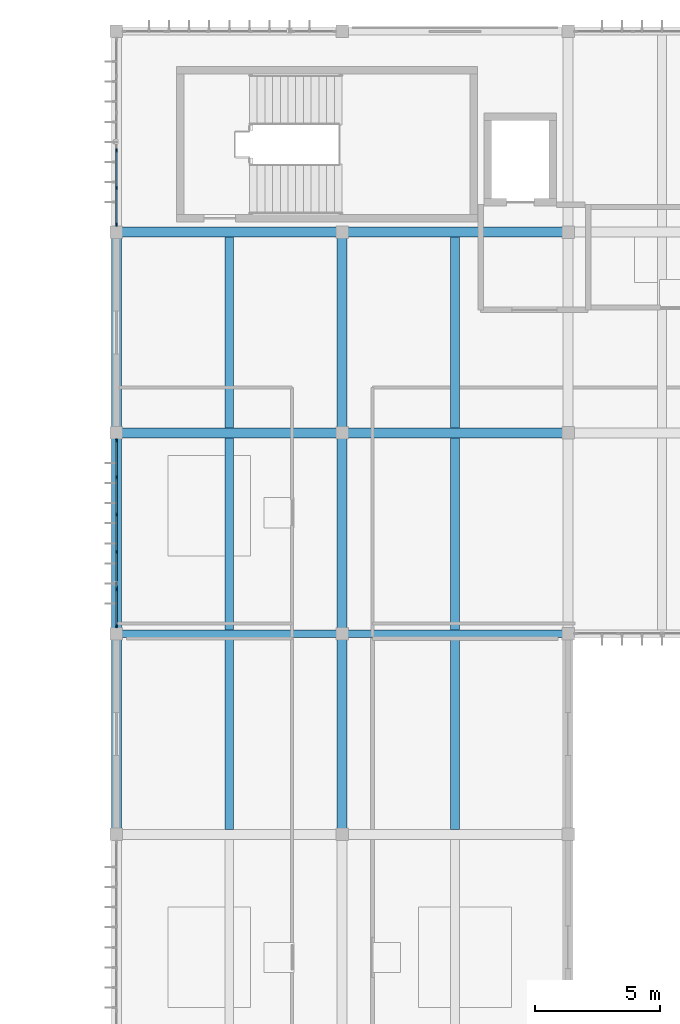
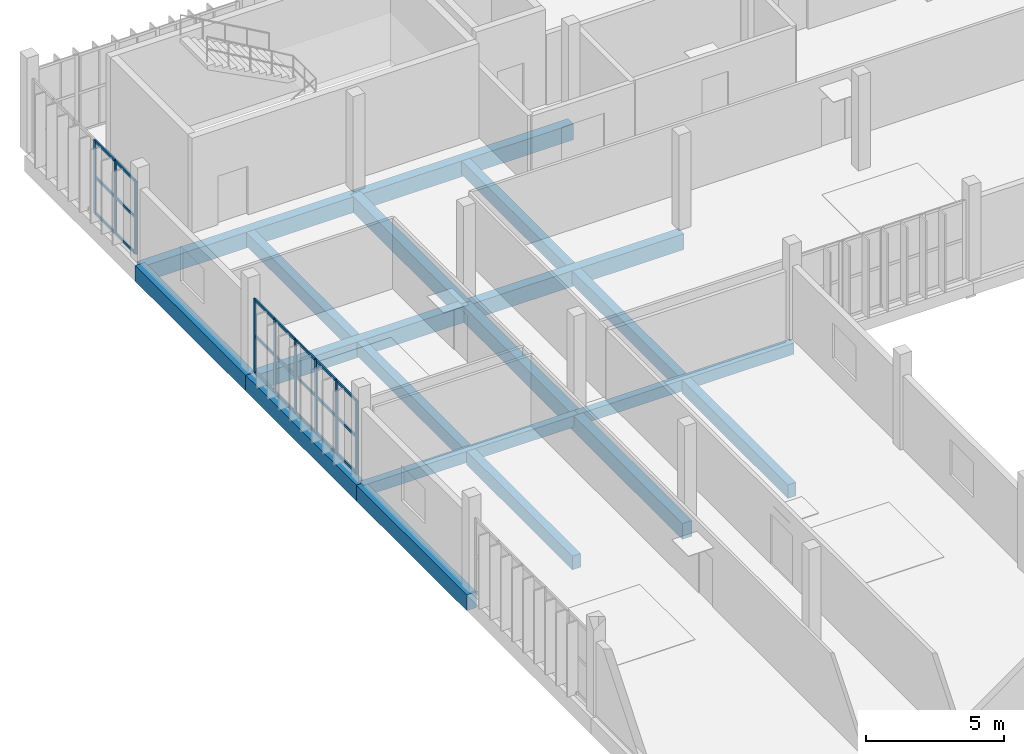
# One storey, part 3 of 27: 30 members, 18 beams, 2 elements without a shape of their own.
"""IFC4 building model written with IfcOpenShell, lengths in metres."""

from ifc_helpers import new_model, si_unit, direction, frame, origin, origin_2d, place, context, subcontext, project, spatial, rectangle, extrude, material, material_profile, profile_set, type_object, element, aggregate, save


model = new_model("IFC4")

# Units and contexts
model_context = context("Model", 3, precision=1e-05, world=origin(), true_north=direction((0.0, 1.0)))
body_context = subcontext(model_context, "Body", "Model", "MODEL_VIEW")
ifc_project = project(units=[si_unit("LENGTHUNIT", "METRE"), si_unit("AREAUNIT", "SQUARE_METRE"), si_unit("VOLUMEUNIT", "CUBIC_METRE"), si_unit("PLANEANGLEUNIT", "RADIAN"), si_unit("MASSUNIT", "GRAM", prefix="KILO")], contexts=[model_context])

# Site, building, storey
site_placement = place(None, origin())
site = spatial("IfcSite", under=ifc_project, at=site_placement, CompositionType="ELEMENT")
building_placement = place(site_placement, origin())
building = spatial("IfcBuilding", under=site, at=building_placement, Name="Vourika Railside Aquatics Centre", CompositionType="ELEMENT")
storey_placement = place(building_placement, frame((0.0, 0.0, 13.5)))
storey = spatial("IfcBuildingStorey", under=building, at=storey_placement, Name="L03", CompositionType="ELEMENT", Elevation=13.5)

# Beams
ifc_material_1 = material(Name="Concrete C35/45", Category="concrete")
ifc_material_profile_1 = material_profile(ifc_material_1, rectangle(XDim=0.39990234375, YDim=0.699951171875, at=origin_2d()), Name="RC 400x700")
ifc_profile_set_1 = profile_set([ifc_material_profile_1], Name="Concrete C35/45")
beam_type_1 = type_object("IfcBeamType", Name="BM-GIRD-400x700", PredefinedType="BEAM", material=ifc_profile_set_1)
for number, where, z_axis, x_axis, name in (
    (1, (18.0, 100.0, -0.610107421875), (1.0, 0.0, 0.0), (0.0, 1.0, 0.0), "Floor Beam GX-L03-055"),
    (2, (27.0, 100.0, -0.610107421875), (1.0, 0.0, 0.0), (0.0, 1.0, 0.0), "Floor Beam GX-L03-056"),
    (3, (18.0, 108.0, -0.610107421875), (1.0, 0.0, 0.0), (0.0, 1.0, 0.0), "Floor Beam GX-L03-070"),
    (4, (27.0, 108.0, -0.610107421875), (1.0, 0.0, 0.0), (0.0, 1.0, 0.0), "Floor Beam GX-L03-071"),
):
    element("IfcBeam", number, at=place(storey_placement, frame(where, z_axis=z_axis, x_axis=x_axis)), inside=storey, type_object=beam_type_1, Name=name, PredefinedType="BEAM", context=body_context, shape_type="SweptSolid", body=[
        extrude(rectangle(XDim=0.39990234375, YDim=0.699951171875, at=origin_2d()), origin(), (0.0, 0.0, 1.0), 9.0),
    ])
for number, where, z_axis, x_axis, name in (
    (5, (18.0, 84.0, -0.610107421875), (0.0, 1.0, 0.0), (-1.0, 0.0, 0.0), "Floor Girder GY-L03-108"),
    (6, (18.0, 92.0, -0.610107421875), (0.0, 1.0, 0.0), (-1.0, 0.0, 0.0), "Floor Girder GY-L03-109"),
    (7, (18.0, 100.0, -0.610107421875), (0.0, 1.0, 0.0), (-1.0, 0.0, 0.0), "Floor Girder GY-L03-110"),
    (8, (27.0, 84.0, -0.610107421875), (0.0, 1.0, 0.0), (-1.0, 0.0, 0.0), "Floor Girder GY-L03-116"),
    (9, (27.0, 92.0, -0.610107421875), (0.0, 1.0, 0.0), (-1.0, 0.0, 0.0), "Floor Girder GY-L03-117"),
    (10, (27.0, 100.0, -0.610107421875), (0.0, 1.0, 0.0), (-1.0, 0.0, 0.0), "Floor Girder GY-L03-118"),
):
    element("IfcBeam", number, at=place(storey_placement, frame(where, z_axis=z_axis, x_axis=x_axis)), inside=storey, type_object=beam_type_1, Name=name, PredefinedType="BEAM", context=body_context, shape_type="SweptSolid", body=[
        extrude(rectangle(XDim=0.39990234375, YDim=0.699951171875, at=origin_2d()), origin(), (0.0, 0.0, 1.0), 8.0),
    ])
ifc_material_profile_2 = material_profile(ifc_material_1, rectangle(XDim=0.35009765625, YDim=0.60009765625, at=origin_2d()), Name="RC 350x600")
ifc_profile_set_2 = profile_set([ifc_material_profile_2], Name="Concrete C35/45")
beam_type_2 = type_object("IfcBeamType", Name="BM-SEC-350x600", PredefinedType="JOIST", material=ifc_profile_set_2)
for number, where, z_axis, x_axis, name in (
    (11, (22.5, 84.199951171875, -0.56005859375), (0.0, 1.0, 0.0), (-1.0, 0.0, 0.0), "Secondary Joist JY-L03-209"),
    (12, (31.5, 84.199951171875, -0.56005859375), (0.0, 1.0, 0.0), (-1.0, 0.0, 0.0), "Secondary Joist JY-L03-210"),
    (13, (22.5, 92.14990234375, -0.56005859375), (0.0, 1.0, 0.0), (-1.0, 0.0, 0.0), "Secondary Joist JY-L03-214"),
    (14, (31.5, 92.14990234375, -0.56005859375), (0.0, 1.0, 0.0), (-1.0, 0.0, 0.0), "Secondary Joist JY-L03-215"),
):
    element("IfcBeam", number, at=place(storey_placement, frame(where, z_axis=z_axis, x_axis=x_axis)), inside=storey, type_object=beam_type_2, Name=name, PredefinedType="JOIST", context=body_context, shape_type="SweptSolid", body=[
        extrude(rectangle(XDim=0.35009765625, YDim=0.60009765625, at=origin_2d()), origin(), (0.0, 0.0, 1.0), 7.650146484375),
    ])
for number, where, z_axis, x_axis, name in (
    (15, (22.5, 100.199951171875, -0.56005859375), (0.0, 1.0, 0.0), (-1.0, 0.0, 0.0), "Secondary Joist JY-L03-229"),
    (16, (31.5, 100.199951171875, -0.56005859375), (0.0, 1.0, 0.0), (-1.0, 0.0, 0.0), "Secondary Joist JY-L03-230"),
):
    element("IfcBeam", number, at=place(storey_placement, frame(where, z_axis=z_axis, x_axis=x_axis)), inside=storey, type_object=beam_type_2, Name=name, PredefinedType="JOIST", context=body_context, shape_type="SweptSolid", body=[
        extrude(rectangle(XDim=0.35009765625, YDim=0.60009765625, at=origin_2d()), origin(), (0.0, 0.0, 1.0), 7.60009765625),
    ])
ifc_material_profile_3 = material_profile(ifc_material_1, rectangle(XDim=0.300048828125, YDim=0.5, at=origin_2d()), Name="RC 300x500")
ifc_profile_set_3 = profile_set([ifc_material_profile_3], Name="Concrete C35/45")
beam_type_3 = type_object("IfcBeamType", Name="BM-SPAN-300x500", PredefinedType="SPANDREL", material=ifc_profile_set_3)
for number, where, z_axis, x_axis, name in (
    (17, (18.0, 92.0, -0.510009765625), (1.0, 0.0, 0.0), (0.0, 1.0, 0.0), "Floor Beam GX-L03-036"),
    (18, (27.0, 92.0, -0.510009765625), (1.0, 0.0, 0.0), (0.0, 1.0, 0.0), "Floor Beam GX-L03-037"),
):
    element("IfcBeam", number, at=place(storey_placement, frame(where, z_axis=z_axis, x_axis=x_axis)), inside=storey, type_object=beam_type_3, Name=name, PredefinedType="SPANDREL", context=body_context, shape_type="SweptSolid", body=[
        extrude(rectangle(XDim=0.300048828125, YDim=0.5, at=origin_2d()), origin(), (0.0, 0.0, 1.0), 9.0),
    ])

# Curtain wall, members
ifc_material_2 = material(Name="Anodized thermally broken aluminium", Category="aluminium")
curtain_wall_type = type_object("IfcCurtainWallType", Name="CW-FIT3", PredefinedType="NOTDEFINED", material=ifc_material_2)
curtain_wall_1_placement = place(storey_placement, origin())
curtain_wall_1 = element("IfcCurtainWall", 19, at=curtain_wall_1_placement, inside=storey, type_object=curtain_wall_type, Name="Fitness West Boulevard Curtain Wall L03-5", PredefinedType="NOTDEFINED")
ifc_material_3 = material(Name="Anodized aluminium mullion", Category="aluminium")
ifc_material_profile_4 = material_profile(ifc_material_3, rectangle(XDim=0.05810546875, YDim=0.14208984375, at=origin_2d()), Name="ALU-M 58x142")
ifc_profile_set_4 = profile_set([ifc_material_profile_4], Name="Anodized aluminium mullion")
member_type_1 = type_object("IfcMemberType", Name="CWM-FIT3", PredefinedType="MULLION", material=ifc_profile_set_4)
member_1_placement = place(storey_placement, frame((18.0, 99.69091796875, 0.0), z_axis=(0.0, 0.0, 1.0), x_axis=(1.0, 0.0, 0.0)))
member_1 = element("IfcMember", 20, at=member_1_placement, type_object=member_type_1, Name="CW17 mullion 1", PredefinedType="MULLION", context=body_context, shape_type="SweptSolid", body=[
    extrude(rectangle(XDim=0.05810546875, YDim=0.14208984375, at=origin_2d()), origin(), (0.0, 0.0, 1.0), 3.239990234375),
])
member_2_placement = place(storey_placement, frame((18.0, 98.23193359375, 0.0), z_axis=(0.0, 0.0, 1.0), x_axis=(1.0, 0.0, 0.0)))
member_2 = element("IfcMember", 21, at=member_2_placement, type_object=member_type_1, Name="CW17 mullion 2", PredefinedType="MULLION", context=body_context, shape_type="SweptSolid", body=[
    extrude(rectangle(XDim=0.05810546875, YDim=0.14208984375, at=origin_2d()), origin(), (0.0, 0.0, 1.0), 3.239990234375),
])
member_3_placement = place(storey_placement, frame((18.0, 96.743896484375, 0.0), z_axis=(0.0, 0.0, 1.0), x_axis=(1.0, 0.0, 0.0)))
member_3 = element("IfcMember", 22, at=member_3_placement, type_object=member_type_1, Name="CW17 mullion 3", PredefinedType="MULLION", context=body_context, shape_type="SweptSolid", body=[
    extrude(rectangle(XDim=0.05810546875, YDim=0.14208984375, at=origin_2d()), origin(), (0.0, 0.0, 1.0), 3.239990234375),
])
member_4_placement = place(storey_placement, frame((18.0, 95.256103515625, 0.0), z_axis=(0.0, 0.0, 1.0), x_axis=(1.0, 0.0, 0.0)))
member_4 = element("IfcMember", 23, at=member_4_placement, type_object=member_type_1, Name="CW17 mullion 4", PredefinedType="MULLION", context=body_context, shape_type="SweptSolid", body=[
    extrude(rectangle(XDim=0.05810546875, YDim=0.14208984375, at=origin_2d()), origin(), (0.0, 0.0, 1.0), 3.239990234375),
])
member_5_placement = place(storey_placement, frame((18.0, 93.76806640625, 0.0), z_axis=(0.0, 0.0, 1.0), x_axis=(1.0, 0.0, 0.0)))
member_5 = element("IfcMember", 24, at=member_5_placement, type_object=member_type_1, Name="CW17 mullion 5", PredefinedType="MULLION", context=body_context, shape_type="SweptSolid", body=[
    extrude(rectangle(XDim=0.05810546875, YDim=0.14208984375, at=origin_2d()), origin(), (0.0, 0.0, 1.0), 3.239990234375),
])
member_6_placement = place(storey_placement, frame((18.0, 92.30908203125, 0.0), z_axis=(0.0, 0.0, 1.0), x_axis=(1.0, 0.0, 0.0)))
member_6 = element("IfcMember", 25, at=member_6_placement, type_object=member_type_1, Name="CW17 mullion 6", PredefinedType="MULLION", context=body_context, shape_type="SweptSolid", body=[
    extrude(rectangle(XDim=0.05810546875, YDim=0.14208984375, at=origin_2d()), origin(), (0.0, 0.0, 1.0), 3.239990234375),
])

curtain_wall_2_placement = place(storey_placement, origin())
curtain_wall_2 = element("IfcCurtainWall", 26, at=curtain_wall_2_placement, inside=storey, type_object=curtain_wall_type, Name="Fitness West Boulevard Curtain Wall L03-7", PredefinedType="NOTDEFINED")
member_7_placement = place(storey_placement, frame((18.0, 111.256103515625, 0.0), z_axis=(0.0, 0.0, 1.0), x_axis=(1.0, 0.0, 0.0)))
member_7 = element("IfcMember", 27, at=member_7_placement, type_object=member_type_1, Name="CW17 mullion 4", PredefinedType="MULLION", context=body_context, shape_type="SweptSolid", body=[
    extrude(rectangle(XDim=0.05810546875, YDim=0.14208984375, at=origin_2d()), origin(), (0.0, 0.0, 1.0), 3.239990234375),
])
member_8_placement = place(storey_placement, frame((18.0, 109.76806640625, 0.0), z_axis=(0.0, 0.0, 1.0), x_axis=(1.0, 0.0, 0.0)))
member_8 = element("IfcMember", 28, at=member_8_placement, type_object=member_type_1, Name="CW17 mullion 5", PredefinedType="MULLION", context=body_context, shape_type="SweptSolid", body=[
    extrude(rectangle(XDim=0.05810546875, YDim=0.14208984375, at=origin_2d()), origin(), (0.0, 0.0, 1.0), 3.239990234375),
])
member_9_placement = place(storey_placement, frame((18.0, 108.30908203125, 0.0), z_axis=(0.0, 0.0, 1.0), x_axis=(1.0, 0.0, 0.0)))
member_9 = element("IfcMember", 29, at=member_9_placement, type_object=member_type_1, Name="CW17 mullion 6", PredefinedType="MULLION", context=body_context, shape_type="SweptSolid", body=[
    extrude(rectangle(XDim=0.05810546875, YDim=0.14208984375, at=origin_2d()), origin(), (0.0, 0.0, 1.0), 3.239990234375),
])

# Member
ifc_material_4 = material(Name="Anodized aluminium transom", Category="aluminium")
ifc_material_profile_5 = material_profile(ifc_material_4, rectangle(XDim=0.05810546875, YDim=0.112060546875, at=origin_2d()), Name="ALU-T 58x112")
ifc_profile_set_5 = profile_set([ifc_material_profile_5], Name="Anodized aluminium transom")
member_type_2 = type_object("IfcMemberType", Name="CWT-FIT3", PredefinedType="USERDEFINED", material=ifc_profile_set_5)
member_10_placement = place(storey_placement, frame((18.0, 99.662109375, 0.029052734375), z_axis=(0.0, -1.0, 0.0), x_axis=(1.0, 0.0, 0.0)))
member_10 = element("IfcMember", 30, at=member_10_placement, type_object=member_type_2, Name="CW17 transom 1.1", ObjectType="TRANSOM", PredefinedType="USERDEFINED", context=body_context, shape_type="SweptSolid", body=[
    extrude(rectangle(XDim=0.05810546875, YDim=0.112060546875, at=origin_2d()), origin(), (0.0, 0.0, 1.0), 1.401123046875),
])

member_11_placement = place(storey_placement, frame((18.0, 99.662109375, 1.6201171875), z_axis=(0.0, -1.0, 0.0), x_axis=(1.0, 0.0, 0.0)))
member_11 = element("IfcMember", 31, at=member_11_placement, type_object=member_type_2, Name="CW17 transom 1.2", ObjectType="TRANSOM", PredefinedType="USERDEFINED", context=body_context, shape_type="SweptSolid", body=[
    extrude(rectangle(XDim=0.05810546875, YDim=0.112060546875, at=origin_2d()), origin(), (0.0, 0.0, 1.0), 1.401123046875),
])

member_12_placement = place(storey_placement, frame((18.0, 99.662109375, 3.2109375), z_axis=(0.0, -1.0, 0.0), x_axis=(1.0, 0.0, 0.0)))
member_12 = element("IfcMember", 32, at=member_12_placement, type_object=member_type_2, Name="CW17 transom 1.3", ObjectType="TRANSOM", PredefinedType="USERDEFINED", context=body_context, shape_type="SweptSolid", body=[
    extrude(rectangle(XDim=0.05810546875, YDim=0.112060546875, at=origin_2d()), origin(), (0.0, 0.0, 1.0), 1.401123046875),
])

member_13_placement = place(storey_placement, frame((18.0, 98.202880859375, 0.029052734375), z_axis=(0.0, -1.0, 0.0), x_axis=(1.0, 0.0, 0.0)))
member_13 = element("IfcMember", 33, at=member_13_placement, type_object=member_type_2, Name="CW17 transom 2.1", ObjectType="TRANSOM", PredefinedType="USERDEFINED", context=body_context, shape_type="SweptSolid", body=[
    extrude(rectangle(XDim=0.05810546875, YDim=0.112060546875, at=origin_2d()), origin(), (0.0, 0.0, 1.0), 1.429931640625),
])

member_14_placement = place(storey_placement, frame((18.0, 98.202880859375, 1.6201171875), z_axis=(0.0, -1.0, 0.0), x_axis=(1.0, 0.0, 0.0)))
member_14 = element("IfcMember", 34, at=member_14_placement, type_object=member_type_2, Name="CW17 transom 2.2", ObjectType="TRANSOM", PredefinedType="USERDEFINED", context=body_context, shape_type="SweptSolid", body=[
    extrude(rectangle(XDim=0.05810546875, YDim=0.112060546875, at=origin_2d()), origin(), (0.0, 0.0, 1.0), 1.429931640625),
])

member_15_placement = place(storey_placement, frame((18.0, 98.202880859375, 3.2109375), z_axis=(0.0, -1.0, 0.0), x_axis=(1.0, 0.0, 0.0)))
member_15 = element("IfcMember", 35, at=member_15_placement, type_object=member_type_2, Name="CW17 transom 2.3", ObjectType="TRANSOM", PredefinedType="USERDEFINED", context=body_context, shape_type="SweptSolid", body=[
    extrude(rectangle(XDim=0.05810546875, YDim=0.112060546875, at=origin_2d()), origin(), (0.0, 0.0, 1.0), 1.429931640625),
])

member_16_placement = place(storey_placement, frame((18.0, 96.715087890625, 0.029052734375), z_axis=(0.0, -1.0, 0.0), x_axis=(1.0, 0.0, 0.0)))
member_16 = element("IfcMember", 36, at=member_16_placement, type_object=member_type_2, Name="CW17 transom 3.1", ObjectType="TRANSOM", PredefinedType="USERDEFINED", context=body_context, shape_type="SweptSolid", body=[
    extrude(rectangle(XDim=0.05810546875, YDim=0.112060546875, at=origin_2d()), origin(), (0.0, 0.0, 1.0), 1.43017578125),
])

member_17_placement = place(storey_placement, frame((18.0, 96.715087890625, 1.6201171875), z_axis=(0.0, -1.0, 0.0), x_axis=(1.0, 0.0, 0.0)))
member_17 = element("IfcMember", 37, at=member_17_placement, type_object=member_type_2, Name="CW17 transom 3.2", ObjectType="TRANSOM", PredefinedType="USERDEFINED", context=body_context, shape_type="SweptSolid", body=[
    extrude(rectangle(XDim=0.05810546875, YDim=0.112060546875, at=origin_2d()), origin(), (0.0, 0.0, 1.0), 1.43017578125),
])

member_18_placement = place(storey_placement, frame((18.0, 96.715087890625, 3.2109375), z_axis=(0.0, -1.0, 0.0), x_axis=(1.0, 0.0, 0.0)))
member_18 = element("IfcMember", 38, at=member_18_placement, type_object=member_type_2, Name="CW17 transom 3.3", ObjectType="TRANSOM", PredefinedType="USERDEFINED", context=body_context, shape_type="SweptSolid", body=[
    extrude(rectangle(XDim=0.05810546875, YDim=0.112060546875, at=origin_2d()), origin(), (0.0, 0.0, 1.0), 1.43017578125),
])

member_19_placement = place(storey_placement, frame((18.0, 95.22705078125, 0.029052734375), z_axis=(0.0, -1.0, 0.0), x_axis=(1.0, 0.0, 0.0)))
member_19 = element("IfcMember", 39, at=member_19_placement, type_object=member_type_2, Name="CW17 transom 4.1", ObjectType="TRANSOM", PredefinedType="USERDEFINED", context=body_context, shape_type="SweptSolid", body=[
    extrude(rectangle(XDim=0.05810546875, YDim=0.112060546875, at=origin_2d()), origin(), (0.0, 0.0, 1.0), 1.429931640625),
])

member_20_placement = place(storey_placement, frame((18.0, 95.22705078125, 1.6201171875), z_axis=(0.0, -1.0, 0.0), x_axis=(1.0, 0.0, 0.0)))
member_20 = element("IfcMember", 40, at=member_20_placement, type_object=member_type_2, Name="CW17 transom 4.2", ObjectType="TRANSOM", PredefinedType="USERDEFINED", context=body_context, shape_type="SweptSolid", body=[
    extrude(rectangle(XDim=0.05810546875, YDim=0.112060546875, at=origin_2d()), origin(), (0.0, 0.0, 1.0), 1.429931640625),
])

member_21_placement = place(storey_placement, frame((18.0, 95.22705078125, 3.2109375), z_axis=(0.0, -1.0, 0.0), x_axis=(1.0, 0.0, 0.0)))
member_21 = element("IfcMember", 41, at=member_21_placement, type_object=member_type_2, Name="CW17 transom 4.3", ObjectType="TRANSOM", PredefinedType="USERDEFINED", context=body_context, shape_type="SweptSolid", body=[
    extrude(rectangle(XDim=0.05810546875, YDim=0.112060546875, at=origin_2d()), origin(), (0.0, 0.0, 1.0), 1.429931640625),
])

member_22_placement = place(storey_placement, frame((18.0, 93.739013671875, 0.029052734375), z_axis=(0.0, -1.0, 0.0), x_axis=(1.0, 0.0, 0.0)))
member_22 = element("IfcMember", 42, at=member_22_placement, type_object=member_type_2, Name="CW17 transom 5.1", ObjectType="TRANSOM", PredefinedType="USERDEFINED", context=body_context, shape_type="SweptSolid", body=[
    extrude(rectangle(XDim=0.05810546875, YDim=0.112060546875, at=origin_2d()), origin(), (0.0, 0.0, 1.0), 1.401123046875),
])

member_23_placement = place(storey_placement, frame((18.0, 93.739013671875, 1.6201171875), z_axis=(0.0, -1.0, 0.0), x_axis=(1.0, 0.0, 0.0)))
member_23 = element("IfcMember", 43, at=member_23_placement, type_object=member_type_2, Name="CW17 transom 5.2", ObjectType="TRANSOM", PredefinedType="USERDEFINED", context=body_context, shape_type="SweptSolid", body=[
    extrude(rectangle(XDim=0.05810546875, YDim=0.112060546875, at=origin_2d()), origin(), (0.0, 0.0, 1.0), 1.401123046875),
])

member_24_placement = place(storey_placement, frame((18.0, 93.739013671875, 3.2109375), z_axis=(0.0, -1.0, 0.0), x_axis=(1.0, 0.0, 0.0)))
member_24 = element("IfcMember", 44, at=member_24_placement, type_object=member_type_2, Name="CW17 transom 5.3", ObjectType="TRANSOM", PredefinedType="USERDEFINED", context=body_context, shape_type="SweptSolid", body=[
    extrude(rectangle(XDim=0.05810546875, YDim=0.112060546875, at=origin_2d()), origin(), (0.0, 0.0, 1.0), 1.401123046875),
])

aggregate(curtain_wall_1, [member_1, member_2, member_3, member_4, member_5, member_6, member_10, member_11, member_12, member_13, member_14, member_15, member_16, member_17, member_18, member_19, member_20, member_21, member_22, member_23, member_24])

member_25_placement = place(storey_placement, frame((18.0, 111.22705078125, 0.029052734375), z_axis=(0.0, -1.0, 0.0), x_axis=(1.0, 0.0, 0.0)))
member_25 = element("IfcMember", 45, at=member_25_placement, type_object=member_type_2, Name="CW17 transom 4.1", ObjectType="TRANSOM", PredefinedType="USERDEFINED", context=body_context, shape_type="SweptSolid", body=[
    extrude(rectangle(XDim=0.05810546875, YDim=0.112060546875, at=origin_2d()), origin(), (0.0, 0.0, 1.0), 1.429931640625),
])

member_26_placement = place(storey_placement, frame((18.0, 111.22705078125, 1.6201171875), z_axis=(0.0, -1.0, 0.0), x_axis=(1.0, 0.0, 0.0)))
member_26 = element("IfcMember", 46, at=member_26_placement, type_object=member_type_2, Name="CW17 transom 4.2", ObjectType="TRANSOM", PredefinedType="USERDEFINED", context=body_context, shape_type="SweptSolid", body=[
    extrude(rectangle(XDim=0.05810546875, YDim=0.112060546875, at=origin_2d()), origin(), (0.0, 0.0, 1.0), 1.429931640625),
])

member_27_placement = place(storey_placement, frame((18.0, 111.22705078125, 3.2109375), z_axis=(0.0, -1.0, 0.0), x_axis=(1.0, 0.0, 0.0)))
member_27 = element("IfcMember", 47, at=member_27_placement, type_object=member_type_2, Name="CW17 transom 4.3", ObjectType="TRANSOM", PredefinedType="USERDEFINED", context=body_context, shape_type="SweptSolid", body=[
    extrude(rectangle(XDim=0.05810546875, YDim=0.112060546875, at=origin_2d()), origin(), (0.0, 0.0, 1.0), 1.429931640625),
])

member_28_placement = place(storey_placement, frame((18.0, 109.739013671875, 0.029052734375), z_axis=(0.0, -1.0, 0.0), x_axis=(1.0, 0.0, 0.0)))
member_28 = element("IfcMember", 48, at=member_28_placement, type_object=member_type_2, Name="CW17 transom 5.1", ObjectType="TRANSOM", PredefinedType="USERDEFINED", context=body_context, shape_type="SweptSolid", body=[
    extrude(rectangle(XDim=0.05810546875, YDim=0.112060546875, at=origin_2d()), origin(), (0.0, 0.0, 1.0), 1.401123046875),
])

member_29_placement = place(storey_placement, frame((18.0, 109.739013671875, 1.6201171875), z_axis=(0.0, -1.0, 0.0), x_axis=(1.0, 0.0, 0.0)))
member_29 = element("IfcMember", 49, at=member_29_placement, type_object=member_type_2, Name="CW17 transom 5.2", ObjectType="TRANSOM", PredefinedType="USERDEFINED", context=body_context, shape_type="SweptSolid", body=[
    extrude(rectangle(XDim=0.05810546875, YDim=0.112060546875, at=origin_2d()), origin(), (0.0, 0.0, 1.0), 1.401123046875),
])

member_30_placement = place(storey_placement, frame((18.0, 109.739013671875, 3.2109375), z_axis=(0.0, -1.0, 0.0), x_axis=(1.0, 0.0, 0.0)))
member_30 = element("IfcMember", 50, at=member_30_placement, type_object=member_type_2, Name="CW17 transom 5.3", ObjectType="TRANSOM", PredefinedType="USERDEFINED", context=body_context, shape_type="SweptSolid", body=[
    extrude(rectangle(XDim=0.05810546875, YDim=0.112060546875, at=origin_2d()), origin(), (0.0, 0.0, 1.0), 1.401123046875),
])

aggregate(curtain_wall_2, [member_7, member_8, member_9, member_25, member_26, member_27, member_28, member_29, member_30])

save(model, "model.ifc")
